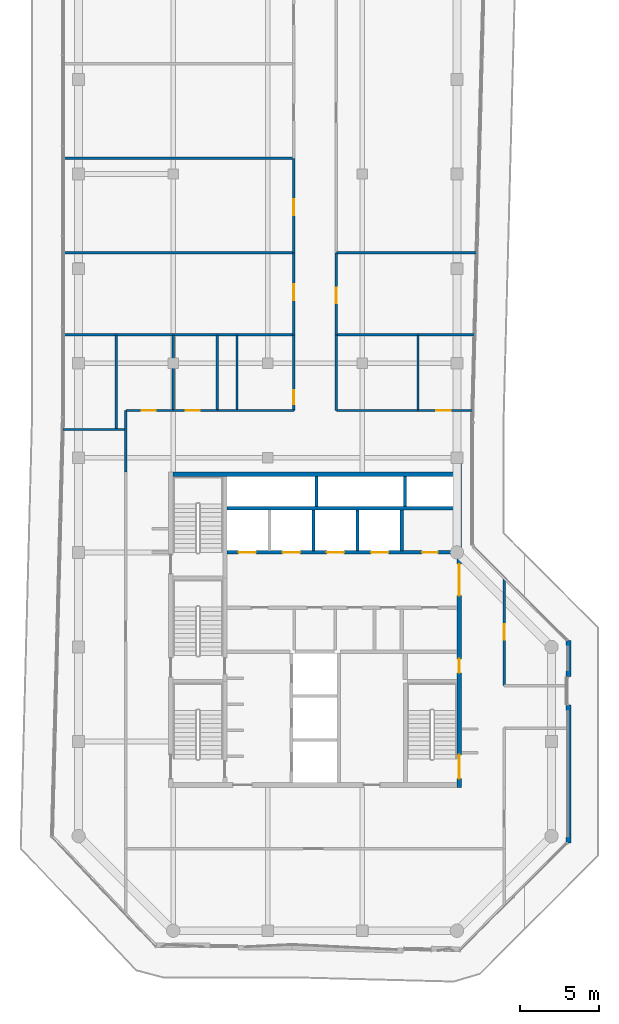
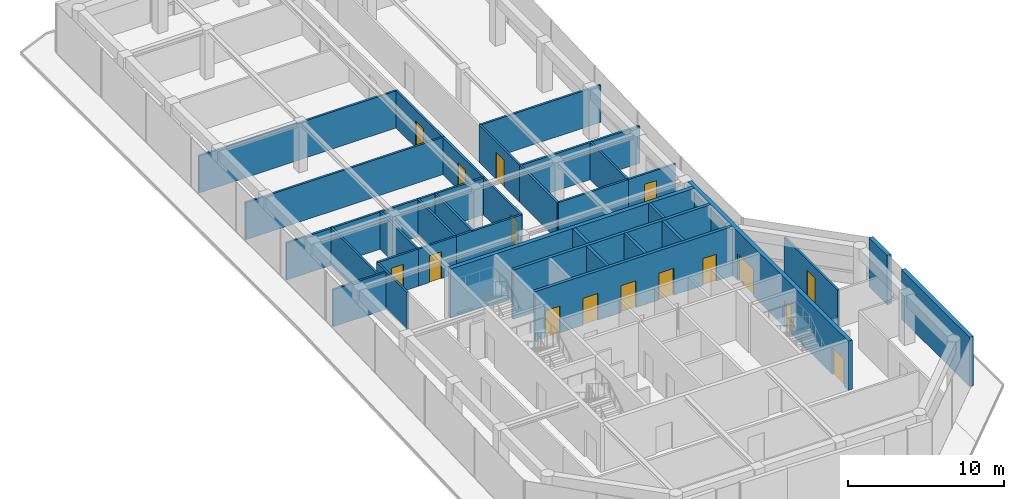
# One storey, part 15 of 18: 34 walls, 16 doors, 16 openings.
"""IFC4 building model written with IfcOpenShell, lengths in metres."""

from ifc_helpers import new_model, si_unit, direction, frame, frame_2d, origin, place, context, subcontext, project, spatial, rectangle, extrude, material, layer, layer_set, type_object, element, fill, save


model = new_model("IFC4")

# Units and contexts
model_context = context("Model", 3, precision=1e-05, world=origin(), true_north=direction((0.0, 1.0)))
body_context = subcontext(model_context, "Body", "Model", "MODEL_VIEW")
ifc_project = project(units=[si_unit("LENGTHUNIT", "METRE"), si_unit("AREAUNIT", "SQUARE_METRE"), si_unit("VOLUMEUNIT", "CUBIC_METRE"), si_unit("PLANEANGLEUNIT", "RADIAN"), si_unit("MASSUNIT", "GRAM", prefix="KILO")], contexts=[model_context])

# Site, building, storey
site_placement = place(None, origin())
site = spatial("IfcSite", under=ifc_project, at=site_placement, CompositionType="ELEMENT")
building_placement = place(site_placement, origin())
building = spatial("IfcBuilding", under=site, at=building_placement, Name="Welwitschia Terrace Campus", CompositionType="ELEMENT")
storey_placement = place(building_placement, frame((0.0, 0.0, 281.0)))
storey = spatial("IfcBuildingStorey", under=building, at=storey_placement, Name="L62", CompositionType="ELEMENT", Elevation=281.0)

# Wall, openings, doors
ifc_material_1 = material(Name="Concrete C32/40", Category="concrete")
ifc_layer_1 = layer(ifc_material_1, 0.22509765625)
ifc_layer_set_1 = layer_set([ifc_layer_1], Name="Concrete C32/40")
wall_type_1 = type_object("IfcWallType", Name="Core partition 225 Concrete C32/40", PredefinedType="PARTITIONING", material=ifc_layer_set_1)
wall_1_placement = place(storey_placement, frame((24.0, 20.0, 0.0), z_axis=(0.0, 0.0, 1.0), x_axis=(-1.0, 0.0, 0.0)))
wall_1 = element("IfcWall", 1, at=wall_1_placement, inside=storey, type_object=wall_type_1, Name="Shaft wall", PredefinedType="PARTITIONING", context=body_context, shape_type="SweptSolid", body=[
    extrude(rectangle(XDim=14.60009765625, YDim=0.22509765625, at=frame_2d((7.300048828125, 0.0))), origin(), (0.0, 0.0, 1.0), 3.85009765625),
])
opening_1_placement = place(wall_1_placement, frame((12.75, 0.0, 0.0)))
opening_1 = element("IfcOpeningElement", 2, at=opening_1_placement, cuts=wall_1, Name="Opening LD", PredefinedType="OPENING", context=body_context, shape_type="SweptSolid", body=[
    extrude(rectangle(XDim=1.10009765625, YDim=2.10009765625, at=frame_2d((0.550048828125, 1.050048828125))), frame((0.0, 0.12255859375, 0.0), z_axis=(0.0, -1.0, 0.0), x_axis=(1.0, 0.0, 0.0)), (0.0, 0.0, 1.0), 0.2451171875),
])
opening_2_placement = place(wall_1_placement, frame((9.949951171875, 0.0, 0.0)))
opening_2 = element("IfcOpeningElement", 3, at=opening_2_placement, cuts=wall_1, Name="Opening LD", PredefinedType="OPENING", context=body_context, shape_type="SweptSolid", body=[
    extrude(rectangle(XDim=1.10009765625, YDim=2.10009765625, at=frame_2d((0.550048828125, 1.050048828125))), frame((0.0, 0.12255859375, 0.0), z_axis=(0.0, -1.0, 0.0), x_axis=(1.0, 0.0, 0.0)), (0.0, 0.0, 1.0), 0.2451171875),
])
opening_3_placement = place(wall_1_placement, frame((7.14990234375, 0.0, 0.0)))
opening_3 = element("IfcOpeningElement", 4, at=opening_3_placement, cuts=wall_1, Name="Opening LD", PredefinedType="OPENING", context=body_context, shape_type="SweptSolid", body=[
    extrude(rectangle(XDim=1.10009765625, YDim=2.10009765625, at=frame_2d((0.550048828125, 1.050048828125))), frame((0.0, 0.12255859375, 0.0), z_axis=(0.0, -1.0, 0.0), x_axis=(1.0, 0.0, 0.0)), (0.0, 0.0, 1.0), 0.2451171875),
])
opening_4_placement = place(wall_1_placement, frame((4.35009765625, 0.0, 0.0)))
opening_4 = element("IfcOpeningElement", 5, at=opening_4_placement, cuts=wall_1, Name="Opening LD", PredefinedType="OPENING", context=body_context, shape_type="SweptSolid", body=[
    extrude(rectangle(XDim=1.10009765625, YDim=2.10009765625, at=frame_2d((0.550048828125, 1.050048828125))), frame((0.0, 0.12255859375, 0.0), z_axis=(0.0, -1.0, 0.0), x_axis=(1.0, 0.0, 0.0)), (0.0, 0.0, 1.0), 0.2451171875),
])
opening_5_placement = place(wall_1_placement, frame((1.199951171875, 0.0, 0.0)))
opening_5 = element("IfcOpeningElement", 6, at=opening_5_placement, cuts=wall_1, Name="Opening DR10", PredefinedType="OPENING", context=body_context, shape_type="SweptSolid", body=[
    extrude(rectangle(XDim=1.0, YDim=2.10009765625, at=frame_2d((0.5, 1.050048828125))), frame((0.0, 0.12255859375, 0.0), z_axis=(0.0, -1.0, 0.0), x_axis=(1.0, 0.0, 0.0)), (0.0, 0.0, 1.0), 0.2451171875),
])
ifc_material_2 = material(Name="Steel S275", Category="steel")
door_type_1 = type_object("IfcDoorType", Name="Core door DR10", OperationType="SINGLE_SWING_LEFT", PredefinedType="DOOR", material=ifc_material_2)
door_1_placement = place(opening_5_placement, origin())
door_1 = element("IfcDoor", 7, at=door_1_placement, inside=storey, type_object=door_type_1, Name="Door EH-D", OperationType="SINGLE_SWING_LEFT", OverallHeight=2.10009765625, OverallWidth=1.0, PredefinedType="DOOR", context=body_context, shape_type="SweptSolid", body=[
    extrude(rectangle(XDim=1.0, YDim=2.10009765625, at=frame_2d((0.5, 1.050048828125))), frame((0.0, 0.02490234375, 0.0), z_axis=(0.0, -1.0, 0.0), x_axis=(1.0, 0.0, 0.0)), (0.0, 0.0, 1.0), 0.050048828125),
])
fill(opening_5, door_1)
ifc_material_3 = material(Name="Stainless steel 304", Category="steel")
door_type_2 = type_object("IfcDoorType", Name="Lift landing door", OperationType="DOUBLE_DOOR_SLIDING", PredefinedType="DOOR", material=ifc_material_3)
door_2_placement = place(opening_1_placement, origin())
door_2 = element("IfcDoor", 8, at=door_2_placement, inside=storey, type_object=door_type_2, Name="Landing door HR1", OperationType="DOUBLE_DOOR_SLIDING", OverallHeight=2.10009765625, OverallWidth=1.10009765625, PredefinedType="DOOR", context=body_context, shape_type="SweptSolid", body=[
    extrude(rectangle(XDim=1.10009765625, YDim=2.10009765625, at=frame_2d((0.550048828125, 1.050048828125))), frame((0.0, 0.02490234375, 0.0), z_axis=(0.0, -1.0, 0.0), x_axis=(1.0, 0.0, 0.0)), (0.0, 0.0, 1.0), 0.050048828125),
])
fill(opening_1, door_2)
door_3_placement = place(opening_2_placement, origin())
door_3 = element("IfcDoor", 9, at=door_3_placement, inside=storey, type_object=door_type_2, Name="Landing door HR2", OperationType="DOUBLE_DOOR_SLIDING", OverallHeight=2.10009765625, OverallWidth=1.10009765625, PredefinedType="DOOR", context=body_context, shape_type="SweptSolid", body=[
    extrude(rectangle(XDim=1.10009765625, YDim=2.10009765625, at=frame_2d((0.550048828125, 1.050048828125))), frame((0.0, 0.02490234375, 0.0), z_axis=(0.0, -1.0, 0.0), x_axis=(1.0, 0.0, 0.0)), (0.0, 0.0, 1.0), 0.050048828125),
])
fill(opening_2, door_3)
door_4_placement = place(opening_3_placement, origin())
door_4 = element("IfcDoor", 10, at=door_4_placement, inside=storey, type_object=door_type_2, Name="Landing door HR3", OperationType="DOUBLE_DOOR_SLIDING", OverallHeight=2.10009765625, OverallWidth=1.10009765625, PredefinedType="DOOR", context=body_context, shape_type="SweptSolid", body=[
    extrude(rectangle(XDim=1.10009765625, YDim=2.10009765625, at=frame_2d((0.550048828125, 1.050048828125))), frame((0.0, 0.02490234375, 0.0), z_axis=(0.0, -1.0, 0.0), x_axis=(1.0, 0.0, 0.0)), (0.0, 0.0, 1.0), 0.050048828125),
])
fill(opening_3, door_4)
door_5_placement = place(opening_4_placement, origin())
door_5 = element("IfcDoor", 11, at=door_5_placement, inside=storey, type_object=door_type_2, Name="Landing door HR4", OperationType="DOUBLE_DOOR_SLIDING", OverallHeight=2.10009765625, OverallWidth=1.10009765625, PredefinedType="DOOR", context=body_context, shape_type="SweptSolid", body=[
    extrude(rectangle(XDim=1.10009765625, YDim=2.10009765625, at=frame_2d((0.550048828125, 1.050048828125))), frame((0.0, 0.02490234375, 0.0), z_axis=(0.0, -1.0, 0.0), x_axis=(1.0, 0.0, 0.0)), (0.0, 0.0, 1.0), 0.050048828125),
])
fill(opening_4, door_5)

# Walls
wall_2_placement = place(storey_placement, frame((9.39990234375, 22.800048828125, 0.0), z_axis=(0.0, 0.0, 1.0), x_axis=(1.0, 0.0, 0.0)))
element("IfcWall", 12, at=wall_2_placement, inside=storey, type_object=wall_type_1, Name="Shaft wall", PredefinedType="PARTITIONING", context=body_context, shape_type="SweptSolid", body=[
    extrude(rectangle(XDim=14.60009765625, YDim=0.22509765625, at=frame_2d((7.300048828125, 0.0))), origin(), (0.0, 0.0, 1.0), 3.85009765625),
])
wall_3_placement = place(storey_placement, frame((20.5, 20.10009765625, 0.0), z_axis=(0.0, 0.0, 1.0), x_axis=(0.0, 1.0, 0.0)))
element("IfcWall", 13, at=wall_3_placement, inside=storey, type_object=wall_type_1, Name="Shaft wall", PredefinedType="PARTITIONING", context=body_context, shape_type="SweptSolid", body=[
    extrude(rectangle(XDim=2.599853515625, YDim=0.22509765625, at=frame_2d((1.2998046875, 0.0))), origin(), (0.0, 0.0, 1.0), 3.85009765625),
])
ifc_material_4 = material(Name="Concrete C50/60", Category="concrete")
ifc_layer_2 = layer(ifc_material_4, 0.199951171875)
ifc_layer_set_2 = layer_set([ifc_layer_2], Name="Concrete C50/60")
wall_type_2 = type_object("IfcWallType", Name="Core wall 200 Concrete C50/60", PredefinedType="SHEAR", material=ifc_layer_set_2)
for number, where, z_axis, x_axis, name in (
    (14, (15.10009765625, 22.89990234375, 0.0), (0.0, 0.0, 1.0), (0.0, 1.0, 0.0), "Core wall"),
    (15, (20.699951171875, 22.89990234375, 0.0), (0.0, 0.0, 1.0), (0.0, 1.0, 0.0), "Core wall"),
):
    element("IfcWall", number, at=place(storey_placement, frame(where, z_axis=z_axis, x_axis=x_axis)), inside=storey, type_object=wall_type_2, Name=name, PredefinedType="SHEAR", context=body_context, shape_type="SweptSolid", body=[
        extrude(rectangle(XDim=1.900146484375, YDim=0.199951171875, at=frame_2d((0.9501953125, 0.0))), origin(), (0.0, 0.0, 1.0), 3.85009765625),
    ])

# Wall, openings, doors
ifc_material_5 = material(Name="Concrete C50/60", Category="concrete")
ifc_layer_3 = layer(ifc_material_5, 0.300048828125)
ifc_layer_set_3 = layer_set([ifc_layer_3], Name="Concrete C50/60")
wall_type_3 = type_object("IfcWallType", Name="Core wall 300 Concrete C50/60", PredefinedType="SHEAR", material=ifc_layer_set_3)
wall_4_placement = place(storey_placement, frame((24.14990234375, 25.655029296875, 0.0), z_axis=(0.0, 0.0, 1.0), x_axis=(0.0, -1.0, 0.0)))
wall_4 = element("IfcWall", 16, at=wall_4_placement, inside=storey, type_object=wall_type_3, Name="Core outer wall", PredefinedType="SHEAR", context=body_context, shape_type="SweptSolid", body=[
    extrude(rectangle(XDim=20.554931640625, YDim=0.300048828125, at=frame_2d((10.27734375, 0.0))), origin(), (0.0, 0.0, 1.0), 3.85009765625),
])
opening_6_placement = place(wall_4_placement, frame((18.5048828125, 0.0, 0.0)))
opening_6 = element("IfcOpeningElement", 17, at=opening_6_placement, cuts=wall_4, Name="Opening DS15", PredefinedType="OPENING", context=body_context, shape_type="SweptSolid", body=[
    extrude(rectangle(XDim=1.5, YDim=2.10009765625, at=frame_2d((0.75, 1.050048828125))), frame((0.0, 0.159912109375, 0.0), z_axis=(0.0, -1.0, 0.0), x_axis=(1.0, 0.0, 0.0)), (0.0, 0.0, 1.0), 0.320068359375),
])
opening_7_placement = place(wall_4_placement, frame((12.405029296875, 0.0, 0.0)))
opening_7 = element("IfcOpeningElement", 18, at=opening_7_placement, cuts=wall_4, Name="Opening DR09", PredefinedType="OPENING", context=body_context, shape_type="SweptSolid", body=[
    extrude(rectangle(XDim=0.89990234375, YDim=2.10009765625, at=frame_2d((0.449951171875, 1.050048828125))), frame((0.0, 0.159912109375, 0.0), z_axis=(0.0, -1.0, 0.0), x_axis=(1.0, 0.0, 0.0)), (0.0, 0.0, 1.0), 0.320068359375),
])
opening_8_placement = place(wall_4_placement, frame((6.405029296875, 0.0, 0.0)))
opening_8 = element("IfcOpeningElement", 19, at=opening_8_placement, cuts=wall_4, Name="Opening DL20", PredefinedType="OPENING", context=body_context, shape_type="SweptSolid", body=[
    extrude(rectangle(XDim=2.0, YDim=2.10009765625, at=frame_2d((1.0, 1.050048828125))), frame((0.0, 0.159912109375, 0.0), z_axis=(0.0, -1.0, 0.0), x_axis=(1.0, 0.0, 0.0)), (0.0, 0.0, 1.0), 0.320068359375),
])
ifc_material_6 = material(Name="Steel S275", Category="steel")
door_type_3 = type_object("IfcDoorType", Name="Core door DL20", OperationType="DOUBLE_DOOR_SINGLE_SWING", PredefinedType="DOOR", material=ifc_material_6)
door_6_placement = place(opening_8_placement, origin())
door_6 = element("IfcDoor", 20, at=door_6_placement, inside=storey, type_object=door_type_3, Name="Door LOBBY-out", OperationType="DOUBLE_DOOR_SINGLE_SWING", OverallHeight=2.10009765625, OverallWidth=2.0, PredefinedType="DOOR", context=body_context, shape_type="SweptSolid", body=[
    extrude(rectangle(XDim=2.0, YDim=2.10009765625, at=frame_2d((1.0, 1.050048828125))), frame((0.0, 0.02490234375, 0.0), z_axis=(0.0, -1.0, 0.0), x_axis=(1.0, 0.0, 0.0)), (0.0, 0.0, 1.0), 0.050048828125),
])
fill(opening_8, door_6)
ifc_material_7 = material(Name="Steel S275", Category="steel")
door_type_4 = type_object("IfcDoorType", Name="Core door DR09", OperationType="SINGLE_SWING_LEFT", PredefinedType="DOOR", material=ifc_material_7)
door_7_placement = place(opening_7_placement, origin())
door_7 = element("IfcDoor", 21, at=door_7_placement, inside=storey, type_object=door_type_4, Name="Door F1B-out", OperationType="SINGLE_SWING_RIGHT", OverallHeight=2.10009765625, OverallWidth=0.89990234375, PredefinedType="DOOR", context=body_context, shape_type="SweptSolid", body=[
    extrude(rectangle(XDim=0.89990234375, YDim=2.10009765625, at=frame_2d((0.449951171875, 1.050048828125))), frame((0.0, 0.02490234375, 0.0), z_axis=(0.0, -1.0, 0.0), x_axis=(1.0, 0.0, 0.0)), (0.0, 0.0, 1.0), 0.050048828125),
])
fill(opening_7, door_7)
ifc_material_8 = material(Name="Steel S275", Category="steel")
door_type_5 = type_object("IfcDoorType", Name="Core door DS15", OperationType="DOUBLE_DOOR_SINGLE_SWING", PredefinedType="DOOR", material=ifc_material_8)
door_8_placement = place(opening_6_placement, origin())
door_8 = element("IfcDoor", 22, at=door_8_placement, inside=storey, type_object=door_type_5, Name="Door S2-out", OperationType="DOUBLE_DOOR_SINGLE_SWING", OverallHeight=2.10009765625, OverallWidth=1.5, PredefinedType="DOOR", context=body_context, shape_type="SweptSolid", body=[
    extrude(rectangle(XDim=1.5, YDim=2.10009765625, at=frame_2d((0.75, 1.050048828125))), frame((0.0, 0.02490234375, 0.0), z_axis=(0.0, -1.0, 0.0), x_axis=(1.0, 0.0, 0.0)), (0.0, 0.0, 1.0), 0.050048828125),
])
fill(opening_6, door_8)

# Walls
wall_5_placement = place(storey_placement, frame((6.0, 24.949951171875, 0.0), z_axis=(0.0, 0.0, 1.0), x_axis=(1.0, 0.0, 0.0)))
element("IfcWall", 23, at=wall_5_placement, inside=storey, type_object=wall_type_3, Name="Core outer wall", PredefinedType="SHEAR", context=body_context, shape_type="SweptSolid", body=[
    extrude(rectangle(XDim=18.0, YDim=0.300048828125, at=frame_2d((9.0, 0.0))), origin(), (0.0, 0.0, 1.0), 3.85009765625),
])
ifc_material_9 = material(Name="Gypsum board on steel studs", Category="steel")
ifc_layer_4 = layer(ifc_material_9, 0.14990234375)
ifc_layer_set_4 = layer_set([ifc_layer_4], Name="Gypsum board on steel studs")
wall_type_4 = type_object("IfcWallType", Name="Corridor partition 150 EI 30", PredefinedType="PARTITIONING", material=ifc_layer_set_4)
wall_6_placement = place(storey_placement, frame((-1.0, 27.800048828125, 0.0), z_axis=(0.0, 0.0, 1.0), x_axis=(1.0, 0.0, 0.0)))
element("IfcWall", 24, at=wall_6_placement, inside=storey, type_object=wall_type_4, Name="Partition", PredefinedType="PARTITIONING", context=body_context, shape_type="SweptSolid", body=[
    extrude(rectangle(XDim=4.0, YDim=0.14990234375, at=frame_2d((2.0, 0.0))), origin(), (0.0, 0.0, 1.0), 2.89990234375),
])
for number, where, z_axis, x_axis, name in (
    (25, (-0.97998046875, 33.800048828125, 0.0), (0.0, 0.0, 1.0), (1.0, 0.0, 0.0), "Partition"),
    (26, (-0.97998046875, 39.0, 0.0), (0.0, 0.0, 1.0), (1.0, 0.0, 0.0), "Partition"),
    (27, (-0.97998046875, 45.0, 0.0), (0.0, 0.0, 1.0), (1.0, 0.0, 0.0), "Partition"),
):
    element("IfcWall", number, at=place(storey_placement, frame(where, z_axis=z_axis, x_axis=x_axis)), inside=storey, type_object=wall_type_4, Name=name, PredefinedType="PARTITIONING", context=body_context, shape_type="SweptSolid", body=[
        extrude(rectangle(XDim=14.6298828125, YDim=0.14990234375, at=frame_2d((7.31494140625, 0.0))), origin(), (0.0, 0.0, 1.0), 2.89990234375),
    ])
wall_7_placement = place(storey_placement, frame((2.39990234375, 27.800048828125, 0.0), z_axis=(0.0, 0.0, 1.0), x_axis=(0.0, 1.0, 0.0)))
element("IfcWall", 28, at=wall_7_placement, inside=storey, type_object=wall_type_4, Name="Partition", PredefinedType="PARTITIONING", context=body_context, shape_type="SweptSolid", body=[
    extrude(rectangle(XDim=6.0, YDim=0.14990234375, at=frame_2d((3.0, 0.0))), origin(), (0.0, 0.0, 1.0), 2.89990234375),
])
wall_8_placement = place(storey_placement, frame((3.0, 25.10009765625, 0.0), z_axis=(0.0, 0.0, 1.0), x_axis=(0.0, 1.0, 0.0)))
element("IfcWall", 29, at=wall_8_placement, inside=storey, type_object=wall_type_4, Name="Partition", PredefinedType="PARTITIONING", context=body_context, shape_type="SweptSolid", body=[
    extrude(rectangle(XDim=3.89990234375, YDim=0.14990234375, at=frame_2d((1.949951171875, 0.0))), origin(), (0.0, 0.0, 1.0), 2.89990234375),
])

# Wall, opening, door
wall_9_placement = place(storey_placement, frame((3.0, 29.0, 0.0), z_axis=(0.0, 0.0, 1.0), x_axis=(1.0, 0.0, 0.0)))
wall_9 = element("IfcWall", 30, at=wall_9_placement, inside=storey, type_object=wall_type_4, Name="Partition", PredefinedType="PARTITIONING", context=body_context, shape_type="SweptSolid", body=[
    extrude(rectangle(XDim=3.0, YDim=0.14990234375, at=frame_2d((1.5, 0.0))), origin(), (0.0, 0.0, 1.0), 2.89990234375),
])
opening_9_placement = place(wall_9_placement, frame((1.0, 0.0, 0.0)))
opening_9 = element("IfcOpeningElement", 31, at=opening_9_placement, cuts=wall_9, Name="Opening DI09", PredefinedType="OPENING", context=body_context, shape_type="SweptSolid", body=[
    extrude(rectangle(XDim=0.89990234375, YDim=2.10009765625, at=frame_2d((0.449951171875, 1.050048828125))), frame((0.0, 0.0849609375, 0.0), z_axis=(0.0, -1.0, 0.0), x_axis=(1.0, 0.0, 0.0)), (0.0, 0.0, 1.0), 0.169921875),
])
ifc_material_10 = material(Name="Timber veneered door", Category="wood")
door_type_6 = type_object("IfcDoorType", Name="Interior door DI09", OperationType="NOTDEFINED", PredefinedType="DOOR", material=ifc_material_10)
door_9_placement = place(opening_9_placement, origin())
door_9 = element("IfcDoor", 32, at=door_9_placement, inside=storey, type_object=door_type_6, Name="Door L62 1105", OperationType="SINGLE_SWING_RIGHT", OverallHeight=2.10009765625, OverallWidth=0.89990234375, PredefinedType="DOOR", context=body_context, shape_type="SweptSolid", body=[
    extrude(rectangle(XDim=0.89990234375, YDim=2.10009765625, at=frame_2d((0.449951171875, 1.050048828125))), frame((0.0, 0.02490234375, 0.0), z_axis=(0.0, -1.0, 0.0), x_axis=(1.0, 0.0, 0.0)), (0.0, 0.0, 1.0), 0.050048828125),
])
fill(opening_9, door_9)

# Wall
wall_10_placement = place(storey_placement, frame((6.0, 29.0, 0.0), z_axis=(0.0, 0.0, 1.0), x_axis=(0.0, 1.0, 0.0)))
element("IfcWall", 33, at=wall_10_placement, inside=storey, type_object=wall_type_4, Name="Partition", PredefinedType="PARTITIONING", context=body_context, shape_type="SweptSolid", body=[
    extrude(rectangle(XDim=4.800048828125, YDim=0.14990234375, at=frame_2d((2.39990234375, 0.0))), origin(), (0.0, 0.0, 1.0), 2.89990234375),
])

# Wall, opening, door
wall_11_placement = place(storey_placement, frame((6.0, 29.0, 0.0), z_axis=(0.0, 0.0, 1.0), x_axis=(1.0, 0.0, 0.0)))
wall_11 = element("IfcWall", 34, at=wall_11_placement, inside=storey, type_object=wall_type_4, Name="Partition", PredefinedType="PARTITIONING", context=body_context, shape_type="SweptSolid", body=[
    extrude(rectangle(XDim=2.800048828125, YDim=0.14990234375, at=frame_2d((1.39990234375, 0.0))), origin(), (0.0, 0.0, 1.0), 2.89990234375),
])
opening_10_placement = place(wall_11_placement, frame((0.800048828125, 0.0, 0.0)))
opening_10 = element("IfcOpeningElement", 35, at=opening_10_placement, cuts=wall_11, Name="Opening DI09", PredefinedType="OPENING", context=body_context, shape_type="SweptSolid", body=[
    extrude(rectangle(XDim=0.89990234375, YDim=2.10009765625, at=frame_2d((0.449951171875, 1.050048828125))), frame((0.0, 0.0849609375, 0.0), z_axis=(0.0, -1.0, 0.0), x_axis=(1.0, 0.0, 0.0)), (0.0, 0.0, 1.0), 0.169921875),
])
door_10_placement = place(opening_10_placement, origin())
door_10 = element("IfcDoor", 36, at=door_10_placement, inside=storey, type_object=door_type_6, Name="Door L62 1106", OperationType="SINGLE_SWING_LEFT", OverallHeight=2.10009765625, OverallWidth=0.89990234375, PredefinedType="DOOR", context=body_context, shape_type="SweptSolid", body=[
    extrude(rectangle(XDim=0.89990234375, YDim=2.10009765625, at=frame_2d((0.449951171875, 1.050048828125))), frame((0.0, 0.02490234375, 0.0), z_axis=(0.0, -1.0, 0.0), x_axis=(1.0, 0.0, 0.0)), (0.0, 0.0, 1.0), 0.050048828125),
])
fill(opening_10, door_10)

# Walls
wall_12_placement = place(storey_placement, frame((8.800048828125, 29.0, 0.0), z_axis=(0.0, 0.0, 1.0), x_axis=(0.0, 1.0, 0.0)))
element("IfcWall", 37, at=wall_12_placement, inside=storey, type_object=wall_type_4, Name="Partition", PredefinedType="PARTITIONING", context=body_context, shape_type="SweptSolid", body=[
    extrude(rectangle(XDim=4.800048828125, YDim=0.14990234375, at=frame_2d((2.39990234375, 0.0))), origin(), (0.0, 0.0, 1.0), 2.89990234375),
])
wall_13_placement = place(storey_placement, frame((8.800048828125, 29.0, 0.0), z_axis=(0.0, 0.0, 1.0), x_axis=(1.0, 0.0, 0.0)))
element("IfcWall", 38, at=wall_13_placement, inside=storey, type_object=wall_type_4, Name="Partition", PredefinedType="PARTITIONING", context=body_context, shape_type="SweptSolid", body=[
    extrude(rectangle(XDim=4.849853515625, YDim=0.14990234375, at=frame_2d((2.4248046875, 0.0))), origin(), (0.0, 0.0, 1.0), 2.89990234375),
])
wall_14_placement = place(storey_placement, frame((10.050048828125, 29.0, 0.0), z_axis=(0.0, 0.0, 1.0), x_axis=(0.0, 1.0, 0.0)))
element("IfcWall", 39, at=wall_14_placement, inside=storey, type_object=wall_type_4, Name="Partition", PredefinedType="PARTITIONING", context=body_context, shape_type="SweptSolid", body=[
    extrude(rectangle(XDim=4.800048828125, YDim=0.14990234375, at=frame_2d((2.39990234375, 0.0))), origin(), (0.0, 0.0, 1.0), 2.89990234375),
])

# Wall, opening, door
wall_15_placement = place(storey_placement, frame((13.64990234375, 29.0, 0.0), z_axis=(0.0, 0.0, 1.0), x_axis=(0.0, 1.0, 0.0)))
wall_15 = element("IfcWall", 40, at=wall_15_placement, inside=storey, type_object=wall_type_4, Name="Partition", PredefinedType="PARTITIONING", context=body_context, shape_type="SweptSolid", body=[
    extrude(rectangle(XDim=4.800048828125, YDim=0.14990234375, at=frame_2d((2.39990234375, 0.0))), origin(), (0.0, 0.0, 1.0), 2.89990234375),
])
opening_11_placement = place(wall_15_placement, frame((0.39990234375, 0.0, 0.0)))
opening_11 = element("IfcOpeningElement", 41, at=opening_11_placement, cuts=wall_15, Name="Opening DI09", PredefinedType="OPENING", context=body_context, shape_type="SweptSolid", body=[
    extrude(rectangle(XDim=0.89990234375, YDim=2.10009765625, at=frame_2d((0.449951171875, 1.050048828125))), frame((0.0, 0.0849609375, 0.0), z_axis=(0.0, -1.0, 0.0), x_axis=(1.0, 0.0, 0.0)), (0.0, 0.0, 1.0), 0.169921875),
])
door_11_placement = place(opening_11_placement, origin())
door_11 = element("IfcDoor", 42, at=door_11_placement, inside=storey, type_object=door_type_6, Name="Door L62 1107", OperationType="SINGLE_SWING_RIGHT", OverallHeight=2.10009765625, OverallWidth=0.89990234375, PredefinedType="DOOR", context=body_context, shape_type="SweptSolid", body=[
    extrude(rectangle(XDim=0.89990234375, YDim=2.10009765625, at=frame_2d((0.449951171875, 1.050048828125))), frame((0.0, 0.02490234375, 0.0), z_axis=(0.0, -1.0, 0.0), x_axis=(1.0, 0.0, 0.0)), (0.0, 0.0, 1.0), 0.050048828125),
])
fill(opening_11, door_11)

wall_16_placement = place(storey_placement, frame((13.64990234375, 33.800048828125, 0.0), z_axis=(0.0, 0.0, 1.0), x_axis=(0.0, 1.0, 0.0)))
wall_16 = element("IfcWall", 43, at=wall_16_placement, inside=storey, type_object=wall_type_4, Name="Partition", PredefinedType="PARTITIONING", context=body_context, shape_type="SweptSolid", body=[
    extrude(rectangle(XDim=5.199951171875, YDim=0.14990234375, at=frame_2d((2.60009765625, 0.0))), origin(), (0.0, 0.0, 1.0), 2.89990234375),
])
opening_12_placement = place(wall_16_placement, frame((2.199951171875, 0.0, 0.0)))
opening_12 = element("IfcOpeningElement", 44, at=opening_12_placement, cuts=wall_16, Name="Opening DI10", PredefinedType="OPENING", context=body_context, shape_type="SweptSolid", body=[
    extrude(rectangle(XDim=1.0, YDim=2.10009765625, at=frame_2d((0.5, 1.050048828125))), frame((0.0, 0.0849609375, 0.0), z_axis=(0.0, -1.0, 0.0), x_axis=(1.0, 0.0, 0.0)), (0.0, 0.0, 1.0), 0.169921875),
])
ifc_material_11 = material(Name="Timber veneered door", Category="wood")
door_type_7 = type_object("IfcDoorType", Name="Interior door DI10", OperationType="NOTDEFINED", PredefinedType="DOOR", material=ifc_material_11)
door_12_placement = place(opening_12_placement, origin())
door_12 = element("IfcDoor", 45, at=door_12_placement, inside=storey, type_object=door_type_7, Name="Door L62 1108", OperationType="SINGLE_SWING_LEFT", OverallHeight=2.10009765625, OverallWidth=1.0, PredefinedType="DOOR", context=body_context, shape_type="SweptSolid", body=[
    extrude(rectangle(XDim=1.0, YDim=2.10009765625, at=frame_2d((0.5, 1.050048828125))), frame((0.0, 0.02490234375, 0.0), z_axis=(0.0, -1.0, 0.0), x_axis=(1.0, 0.0, 0.0)), (0.0, 0.0, 1.0), 0.050048828125),
])
fill(opening_12, door_12)

wall_17_placement = place(storey_placement, frame((13.64990234375, 39.0, 0.0), z_axis=(0.0, 0.0, 1.0), x_axis=(0.0, 1.0, 0.0)))
wall_17 = element("IfcWall", 46, at=wall_17_placement, inside=storey, type_object=wall_type_4, Name="Partition", PredefinedType="PARTITIONING", context=body_context, shape_type="SweptSolid", body=[
    extrude(rectangle(XDim=6.0, YDim=0.14990234375, at=frame_2d((3.0, 0.0))), origin(), (0.0, 0.0, 1.0), 2.89990234375),
])
opening_13_placement = place(wall_17_placement, frame((2.39990234375, 0.0, 0.0)))
opening_13 = element("IfcOpeningElement", 47, at=opening_13_placement, cuts=wall_17, Name="Opening DI10", PredefinedType="OPENING", context=body_context, shape_type="SweptSolid", body=[
    extrude(rectangle(XDim=1.0, YDim=2.10009765625, at=frame_2d((0.5, 1.050048828125))), frame((0.0, 0.0849609375, 0.0), z_axis=(0.0, -1.0, 0.0), x_axis=(1.0, 0.0, 0.0)), (0.0, 0.0, 1.0), 0.169921875),
])
door_13_placement = place(opening_13_placement, origin())
door_13 = element("IfcDoor", 48, at=door_13_placement, inside=storey, type_object=door_type_7, Name="Door L62 1109", OperationType="SINGLE_SWING_RIGHT", OverallHeight=2.10009765625, OverallWidth=1.0, PredefinedType="DOOR", context=body_context, shape_type="SweptSolid", body=[
    extrude(rectangle(XDim=1.0, YDim=2.10009765625, at=frame_2d((0.5, 1.050048828125))), frame((0.0, 0.02490234375, 0.0), z_axis=(0.0, -1.0, 0.0), x_axis=(1.0, 0.0, 0.0)), (0.0, 0.0, 1.0), 0.050048828125),
])
fill(opening_13, door_13)

# Walls
wall_18_placement = place(storey_placement, frame((16.35009765625, 29.0, 0.0), z_axis=(0.0, 0.0, 1.0), x_axis=(0.0, 1.0, 0.0)))
element("IfcWall", 49, at=wall_18_placement, inside=storey, type_object=wall_type_4, Name="Partition", PredefinedType="PARTITIONING", context=body_context, shape_type="SweptSolid", body=[
    extrude(rectangle(XDim=4.800048828125, YDim=0.14990234375, at=frame_2d((2.39990234375, 0.0))), origin(), (0.0, 0.0, 1.0), 2.89990234375),
])
wall_19_placement = place(storey_placement, frame((16.35009765625, 29.0, 0.0), z_axis=(0.0, 0.0, 1.0), x_axis=(1.0, 0.0, 0.0)))
element("IfcWall", 50, at=wall_19_placement, inside=storey, type_object=wall_type_4, Name="Partition", PredefinedType="PARTITIONING", context=body_context, shape_type="SweptSolid", body=[
    extrude(rectangle(XDim=5.179931640625, YDim=0.14990234375, at=frame_2d((2.58984375, 0.0))), origin(), (0.0, 0.0, 1.0), 2.89990234375),
])
wall_20_placement = place(storey_placement, frame((16.35009765625, 33.800048828125, 0.0), z_axis=(0.0, 0.0, 1.0), x_axis=(1.0, 0.0, 0.0)))
element("IfcWall", 51, at=wall_20_placement, inside=storey, type_object=wall_type_4, Name="Partition", PredefinedType="PARTITIONING", context=body_context, shape_type="SweptSolid", body=[
    extrude(rectangle(XDim=8.77978515625, YDim=0.14990234375, at=frame_2d((4.389892578125, 0.0))), origin(), (0.0, 0.0, 1.0), 2.89990234375),
])

# Wall, opening, door
wall_21_placement = place(storey_placement, frame((16.35009765625, 39.0, 0.0), z_axis=(0.0, 0.0, 1.0), x_axis=(0.0, -1.0, 0.0)))
wall_21 = element("IfcWall", 52, at=wall_21_placement, inside=storey, type_object=wall_type_4, Name="Partition", PredefinedType="PARTITIONING", context=body_context, shape_type="SweptSolid", body=[
    extrude(rectangle(XDim=5.199951171875, YDim=0.14990234375, at=frame_2d((2.60009765625, 0.0))), origin(), (0.0, 0.0, 1.0), 2.89990234375),
])
opening_14_placement = place(wall_21_placement, frame((2.199951171875, 0.0, 0.0)))
opening_14 = element("IfcOpeningElement", 53, at=opening_14_placement, cuts=wall_21, Name="Opening DI10", PredefinedType="OPENING", context=body_context, shape_type="SweptSolid", body=[
    extrude(rectangle(XDim=1.0, YDim=2.10009765625, at=frame_2d((0.5, 1.050048828125))), frame((0.0, 0.0849609375, 0.0), z_axis=(0.0, -1.0, 0.0), x_axis=(1.0, 0.0, 0.0)), (0.0, 0.0, 1.0), 0.169921875),
])
door_14_placement = place(opening_14_placement, origin())
door_14 = element("IfcDoor", 54, at=door_14_placement, inside=storey, type_object=door_type_7, Name="Door L62 1113", OperationType="SINGLE_SWING_RIGHT", OverallHeight=2.10009765625, OverallWidth=1.0, PredefinedType="DOOR", context=body_context, shape_type="SweptSolid", body=[
    extrude(rectangle(XDim=1.0, YDim=2.10009765625, at=frame_2d((0.5, 1.050048828125))), frame((0.0, 0.02490234375, 0.0), z_axis=(0.0, -1.0, 0.0), x_axis=(1.0, 0.0, 0.0)), (0.0, 0.0, 1.0), 0.050048828125),
])
fill(opening_14, door_14)

# Walls
wall_22_placement = place(storey_placement, frame((16.35009765625, 39.0, 0.0), z_axis=(0.0, 0.0, 1.0), x_axis=(1.0, 0.0, 0.0)))
element("IfcWall", 55, at=wall_22_placement, inside=storey, type_object=wall_type_4, Name="Partition", PredefinedType="PARTITIONING", context=body_context, shape_type="SweptSolid", body=[
    extrude(rectangle(XDim=8.909912109375, YDim=0.14990234375, at=frame_2d((4.455078125, 0.0))), origin(), (0.0, 0.0, 1.0), 2.89990234375),
])
wall_23_placement = place(storey_placement, frame((21.530029296875, 29.0, 0.0), z_axis=(0.0, 0.0, 1.0), x_axis=(0.0, 1.0, 0.0)))
element("IfcWall", 56, at=wall_23_placement, inside=storey, type_object=wall_type_4, Name="Partition", PredefinedType="PARTITIONING", context=body_context, shape_type="SweptSolid", body=[
    extrude(rectangle(XDim=4.800048828125, YDim=0.14990234375, at=frame_2d((2.39990234375, 0.0))), origin(), (0.0, 0.0, 1.0), 2.89990234375),
])

# Wall, opening, door
wall_24_placement = place(storey_placement, frame((21.530029296875, 29.0, 0.0), z_axis=(0.0, 0.0, 1.0), x_axis=(1.0, 0.0, 0.0)))
wall_24 = element("IfcWall", 57, at=wall_24_placement, inside=storey, type_object=wall_type_4, Name="Partition", PredefinedType="PARTITIONING", context=body_context, shape_type="SweptSolid", body=[
    extrude(rectangle(XDim=3.469970703125, YDim=0.14990234375, at=frame_2d((1.73486328125, 0.0))), origin(), (0.0, 0.0, 1.0), 2.89990234375),
])
opening_15_placement = place(wall_24_placement, frame((1.169921875, 0.0, 0.0)))
opening_15 = element("IfcOpeningElement", 58, at=opening_15_placement, cuts=wall_24, Name="Opening DI09", PredefinedType="OPENING", context=body_context, shape_type="SweptSolid", body=[
    extrude(rectangle(XDim=0.89990234375, YDim=2.10009765625, at=frame_2d((0.449951171875, 1.050048828125))), frame((0.0, 0.0849609375, 0.0), z_axis=(0.0, -1.0, 0.0), x_axis=(1.0, 0.0, 0.0)), (0.0, 0.0, 1.0), 0.169921875),
])
door_15_placement = place(opening_15_placement, origin())
door_15 = element("IfcDoor", 59, at=door_15_placement, inside=storey, type_object=door_type_6, Name="Door L62 1116", OperationType="SINGLE_SWING_LEFT", OverallHeight=2.10009765625, OverallWidth=0.89990234375, PredefinedType="DOOR", context=body_context, shape_type="SweptSolid", body=[
    extrude(rectangle(XDim=0.89990234375, YDim=2.10009765625, at=frame_2d((0.449951171875, 1.050048828125))), frame((0.0, 0.02490234375, 0.0), z_axis=(0.0, -1.0, 0.0), x_axis=(1.0, 0.0, 0.0)), (0.0, 0.0, 1.0), 0.050048828125),
])
fill(opening_15, door_15)

wall_25_placement = place(storey_placement, frame((27.0, 18.3798828125, 0.0), z_axis=(0.0, 0.0, 1.0), x_axis=(0.0, -1.0, 0.0)))
wall_25 = element("IfcWall", 60, at=wall_25_placement, inside=storey, type_object=wall_type_4, Name="Partition", PredefinedType="PARTITIONING", context=body_context, shape_type="SweptSolid", body=[
    extrude(rectangle(XDim=6.829833984375, YDim=0.14990234375, at=frame_2d((3.4150390625, 0.0))), origin(), (0.0, 0.0, 1.0), 2.89990234375),
])
opening_16_placement = place(wall_25_placement, frame((2.929931640625, 0.0, 0.0)))
opening_16 = element("IfcOpeningElement", 61, at=opening_16_placement, cuts=wall_25, Name="Opening DI10", PredefinedType="OPENING", context=body_context, shape_type="SweptSolid", body=[
    extrude(rectangle(XDim=1.0, YDim=2.10009765625, at=frame_2d((0.5, 1.050048828125))), frame((0.0, 0.0849609375, 0.0), z_axis=(0.0, -1.0, 0.0), x_axis=(1.0, 0.0, 0.0)), (0.0, 0.0, 1.0), 0.169921875),
])
door_16_placement = place(opening_16_placement, origin())
door_16 = element("IfcDoor", 62, at=door_16_placement, inside=storey, type_object=door_type_7, Name="Door L62 1119", OperationType="SINGLE_SWING_RIGHT", OverallHeight=2.10009765625, OverallWidth=1.0, PredefinedType="DOOR", context=body_context, shape_type="SweptSolid", body=[
    extrude(rectangle(XDim=1.0, YDim=2.10009765625, at=frame_2d((0.5, 1.050048828125))), frame((0.0, 0.02490234375, 0.0), z_axis=(0.0, -1.0, 0.0), x_axis=(1.0, 0.0, 0.0)), (0.0, 0.0, 1.0), 0.050048828125),
])
fill(opening_16, door_16)

# Walls
ifc_material_12 = material(Name="Concrete C40/50", Category="concrete")
ifc_layer_5 = layer(ifc_material_12, 0.300048828125)
ifc_layer_set_5 = layer_set([ifc_layer_5], Name="Concrete C40/50")
wall_type_5 = type_object("IfcWallType", Name="Mass wall 300", PredefinedType="SOLIDWALL", material=ifc_layer_set_5)
wall_26_placement = place(storey_placement, frame((31.07958984375, 1.573486328125, 0.0), z_axis=(0.0, 0.0, 1.0), x_axis=(0.0, 1.0, 0.0)))
element("IfcWall", 63, at=wall_26_placement, inside=storey, type_object=wall_type_5, Name="Mass wall L62.6.0", PredefinedType="SOLIDWALL", context=body_context, shape_type="SweptSolid", body=[
    extrude(rectangle(XDim=8.73974609375, YDim=0.300048828125, at=frame_2d((4.369873046875, 0.0))), origin(), (0.0, 0.0, 1.0), 3.85009765625),
])
wall_27_placement = place(storey_placement, frame((31.07958984375, 12.11328125, 0.0), z_axis=(0.0, 0.0, 1.0), x_axis=(0.0, 1.0, 0.0)))
element("IfcWall", 64, at=wall_27_placement, inside=storey, type_object=wall_type_5, Name="Mass wall L62.6.1", PredefinedType="SOLIDWALL", context=body_context, shape_type="SweptSolid", body=[
    extrude(rectangle(XDim=2.313232421875, YDim=0.300048828125, at=frame_2d((1.15673828125, 0.0))), origin(), (0.0, 0.0, 1.0), 3.85009765625),
])
ifc_material_13 = material(Name="Concrete C32/40", Category="concrete")
ifc_layer_6 = layer(ifc_material_13, 0.199951171875)
ifc_layer_set_6 = layer_set([ifc_layer_6], Name="Concrete C32/40")
wall_type_6 = type_object("IfcWallType", Name="Shaft wall 200 Concrete C32/40", PredefinedType="SOLIDWALL", material=ifc_layer_set_6)
for number, where, z_axis, x_axis, name in (
    (65, (14.89990234375, 20.10009765625, 0.0), (0.0, 0.0, 1.0), (0.0, 1.0, 0.0), "Shaft wall"),
    (66, (17.699951171875, 20.10009765625, 0.0), (0.0, 0.0, 1.0), (0.0, 1.0, 0.0), "Shaft wall"),
):
    element("IfcWall", number, at=place(storey_placement, frame(where, z_axis=z_axis, x_axis=x_axis)), inside=storey, type_object=wall_type_6, Name=name, PredefinedType="SOLIDWALL", context=body_context, shape_type="SweptSolid", body=[
        extrude(rectangle(XDim=2.599853515625, YDim=0.199951171875, at=frame_2d((1.2998046875, 0.0))), origin(), (0.0, 0.0, 1.0), 3.85009765625),
    ])

save(model, "model.ifc")
